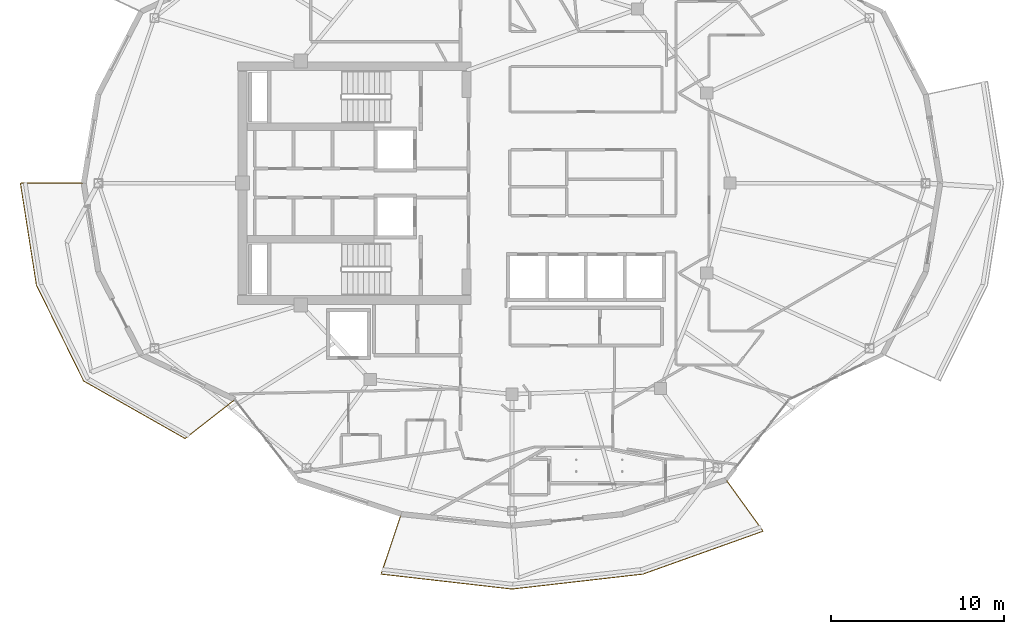
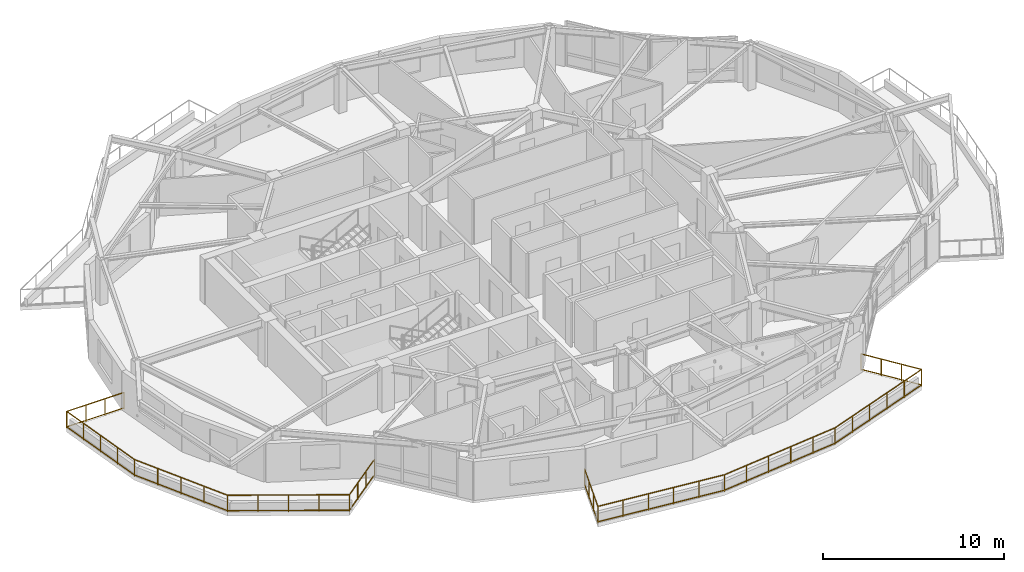
# One storey, part 18 of 21: 2 railings.
"""IFC4 building model written with IfcOpenShell, lengths in metres."""

from ifc_helpers import new_model, si_unit, direction, frame, origin, origin_2d, place, context, subcontext, project, spatial, rectangle, extrude, material, type_object, element, save


model = new_model("IFC4")

# Units and contexts
model_context = context("Model", 3, precision=1e-05, world=origin(), true_north=direction((0.0, 1.0)))
body_context = subcontext(model_context, "Body", "Model", "MODEL_VIEW")
ifc_project = project(units=[si_unit("LENGTHUNIT", "METRE"), si_unit("AREAUNIT", "SQUARE_METRE"), si_unit("VOLUMEUNIT", "CUBIC_METRE"), si_unit("PLANEANGLEUNIT", "RADIAN"), si_unit("MASSUNIT", "GRAM", prefix="KILO")], contexts=[model_context])

# Site, building, storey
site_placement = place(None, origin())
site = spatial("IfcSite", under=ifc_project, at=site_placement, CompositionType="ELEMENT")
building_placement = place(site_placement, origin())
building = spatial("IfcBuilding", under=site, at=building_placement, Name="Kolvaren Gate Tower and Convention Centre", CompositionType="ELEMENT")
storey_placement = place(building_placement, frame((0.0, 0.0, 226.10009765625)))
storey = spatial("IfcBuildingStorey", under=building, at=storey_placement, Name="L60", CompositionType="ELEMENT", Elevation=226.10009765625)

# Railings
ifc_material = material(Name="Brushed Stainless Steel Grade 316L", Category="steel")
railing_type = type_object("IfcRailingType", Name="ARCH-RL-GUARD-1150", PredefinedType="GUARDRAIL", material=ifc_material)
railing_1_placement = place(storey_placement, frame((5.375, 27.0, 0.0)))
element("IfcRailing", 1, at=railing_1_placement, inside=storey, type_object=railing_type, Name="Tower L60 Terrace Perimeter Guardrail GR-2", PredefinedType="GUARDRAIL", context=body_context, shape_type="SweptSolid", body=[
    extrude(rectangle(XDim=0.048095703125, YDim=0.048095703125, at=origin_2d()), frame((-0.028076171875, 0.0, 1.1259765625), z_axis=(-1.0, 0.0, 0.0), x_axis=(0.0, -1.0, 0.0)), (0.0, 0.0, 1.0), 3.603759765625),
    extrude(rectangle(XDim=0.048095703125, YDim=0.048095703125, at=origin_2d()), frame((-0.028076171875, 0.0, 0.083984375), z_axis=(-1.0, 0.0, 0.0), x_axis=(0.0, -1.0, 0.0)), (0.0, 0.0, 1.0), 3.603759765625),
    extrude(rectangle(XDim=0.048095703125, YDim=0.048095703125, at=origin_2d()), frame((-3.655517578125, -0.027587890625, 1.1259765625), z_axis=(0.155031225865, -0.987909570258, 0.0), x_axis=(0.987909570258, 0.155031225865, 0.0)), (0.0, 0.0, 1.0), 5.90771484375),
    extrude(rectangle(XDim=0.048095703125, YDim=0.048095703125, at=origin_2d()), frame((-3.655517578125, -0.027587890625, 0.083984375), z_axis=(0.155031225865, -0.987909570258, 0.0), x_axis=(0.987909570258, 0.155031225865, 0.0)), (0.0, 0.0, 1.0), 5.90771484375),
    extrude(rectangle(XDim=0.048095703125, YDim=0.048095703125, at=origin_2d()), frame((-2.722900390625, -5.916748046875, 1.1259765625), z_axis=(0.441625304244, -0.897199582396, 0.0), x_axis=(0.897199582396, 0.441625304244, 0.0)), (0.0, 0.0, 1.0), 6.122314453125),
    extrude(rectangle(XDim=0.048095703125, YDim=0.048095703125, at=origin_2d()), frame((-2.722900390625, -5.916748046875, 0.083984375), z_axis=(0.441625304244, -0.897199582396, 0.0), x_axis=(0.897199582396, 0.441625304244, 0.0)), (0.0, 0.0, 1.0), 6.122314453125),
    extrude(rectangle(XDim=0.048095703125, YDim=0.048095703125, at=origin_2d()), frame((0.017578125, -11.44873046875, 1.1259765625), z_axis=(0.869876155964, -0.493270182846, 0.0), x_axis=(0.493270182846, 0.869876155964, 0.0)), (0.0, 0.0, 1.0), 6.6865234375),
    extrude(rectangle(XDim=0.048095703125, YDim=0.048095703125, at=origin_2d()), frame((0.017578125, -11.44873046875, 0.083984375), z_axis=(0.869876155964, -0.493270182846, 0.0), x_axis=(0.493270182846, 0.869876155964, 0.0)), (0.0, 0.0, 1.0), 6.6865234375),
    extrude(rectangle(XDim=0.048095703125, YDim=0.048095703125, at=origin_2d()), frame((5.880615234375, -14.743408203125, 1.1259765625), z_axis=(0.787988976981, 0.61568934712, 0.0), x_axis=(-0.61568934712, 0.787988976981, 0.0)), (0.0, 0.0, 1.0), 3.60400390625),
    extrude(rectangle(XDim=0.048095703125, YDim=0.048095703125, at=origin_2d()), frame((5.880615234375, -14.743408203125, 0.083984375), z_axis=(0.787988976981, 0.61568934712, 0.0), x_axis=(-0.61568934712, 0.787988976981, 0.0)), (0.0, 0.0, 1.0), 3.60400390625),
    extrude(rectangle(XDim=0.0419921875, YDim=0.0419921875, at=origin_2d()), origin(), (0.0, 0.0, 1.0), 1.14990234375),
    extrude(rectangle(XDim=0.0419921875, YDim=0.0419921875, at=origin_2d()), frame((-3.659912109375, 0.0, 0.0)), (0.0, 0.0, 1.0), 1.14990234375),
    extrude(rectangle(XDim=0.0419921875, YDim=0.0419921875, at=origin_2d()), frame((-1.219970703125, 0.0, 0.0)), (0.0, 0.0, 1.0), 1.099853515625),
    extrude(rectangle(XDim=0.0419921875, YDim=0.0419921875, at=origin_2d()), frame((-2.43994140625, 0.0, 0.0)), (0.0, 0.0, 1.0), 1.099853515625),
    extrude(rectangle(XDim=0.0419921875, YDim=0.0419921875, at=origin_2d()), frame((-2.7353515625, -5.8916015625, 0.0)), (0.0, 0.0, 1.0), 1.14990234375),
    extrude(rectangle(XDim=0.0419921875, YDim=0.0419921875, at=origin_2d()), frame((-3.4287109375, -1.472900390625, 0.0)), (0.0, 0.0, 1.0), 1.099853515625),
    extrude(rectangle(XDim=0.0419921875, YDim=0.0419921875, at=origin_2d()), frame((-3.19775390625, -2.94580078125, 0.0)), (0.0, 0.0, 1.0), 1.099853515625),
    extrude(rectangle(XDim=0.0419921875, YDim=0.0419921875, at=origin_2d()), frame((-2.966552734375, -4.418701171875, 0.0)), (0.0, 0.0, 1.0), 1.099853515625),
    extrude(rectangle(XDim=0.0419921875, YDim=0.0419921875, at=origin_2d()), frame((-0.0068359375, -11.434814453125, 0.0)), (0.0, 0.0, 1.0), 1.14990234375),
    extrude(rectangle(XDim=0.0419921875, YDim=0.0419921875, at=origin_2d()), frame((-2.05322265625, -7.27734375, 0.0)), (0.0, 0.0, 1.0), 1.099853515625),
    extrude(rectangle(XDim=0.0419921875, YDim=0.0419921875, at=origin_2d()), frame((-1.37109375, -8.6630859375, 0.0)), (0.0, 0.0, 1.0), 1.099853515625),
    extrude(rectangle(XDim=0.0419921875, YDim=0.0419921875, at=origin_2d()), frame((-0.68896484375, -10.049072265625, 0.0)), (0.0, 0.0, 1.0), 1.099853515625),
    extrude(rectangle(XDim=0.0419921875, YDim=0.0419921875, at=origin_2d()), frame((5.8583984375, -14.7607421875, 0.0)), (0.0, 0.0, 1.0), 1.14990234375),
    extrude(rectangle(XDim=0.0419921875, YDim=0.0419921875, at=origin_2d()), frame((1.45947265625, -12.266357421875, 0.0)), (0.0, 0.0, 1.0), 1.099853515625),
    extrude(rectangle(XDim=0.0419921875, YDim=0.0419921875, at=origin_2d()), frame((2.92578125, -13.09765625, 0.0)), (0.0, 0.0, 1.0), 1.099853515625),
    extrude(rectangle(XDim=0.0419921875, YDim=0.0419921875, at=origin_2d()), frame((4.39208984375, -13.92919921875, 0.0)), (0.0, 0.0, 1.0), 1.099853515625),
    extrude(rectangle(XDim=0.0419921875, YDim=0.0419921875, at=origin_2d()), frame((8.742431640625, -12.50732421875, 0.0)), (0.0, 0.0, 1.0), 1.14990234375),
    extrude(rectangle(XDim=0.0419921875, YDim=0.0419921875, at=origin_2d()), frame((6.81982421875, -14.009521484375, 0.0)), (0.0, 0.0, 1.0), 1.099853515625),
    extrude(rectangle(XDim=0.0419921875, YDim=0.0419921875, at=origin_2d()), frame((7.781005859375, -13.258544921875, 0.0)), (0.0, 0.0, 1.0), 1.099853515625),
])
railing_2_placement = place(storey_placement, frame((23.71923828125, 7.874755859375, 0.0)))
element("IfcRailing", 2, at=railing_2_placement, inside=storey, type_object=railing_type, Name="Tower L60 Terrace Perimeter Guardrail GR-3", PredefinedType="GUARDRAIL", context=body_context, shape_type="SweptSolid", body=[
    extrude(rectangle(XDim=0.048095703125, YDim=0.048095703125, at=origin_2d()), frame((-0.0087890625, -0.026611328125, 1.1259765625), z_axis=(-0.317588247294, -0.948228719867, 0.0), x_axis=(0.948228719867, -0.317588247294, 0.0)), (0.0, 0.0, 1.0), 3.603759765625),
    extrude(rectangle(XDim=0.048095703125, YDim=0.048095703125, at=origin_2d()), frame((-0.0087890625, -0.026611328125, 0.083984375), z_axis=(-0.317588247294, -0.948228719867, 0.0), x_axis=(0.948228719867, -0.317588247294, 0.0)), (0.0, 0.0, 1.0), 3.603759765625),
    extrude(rectangle(XDim=0.048095703125, YDim=0.048095703125, at=origin_2d()), frame((-1.134521484375, -3.4736328125, 1.1259765625), z_axis=(0.993542586276, -0.113459813395, 0.0), x_axis=(0.113459813395, 0.993542586276, 0.0)), (0.0, 0.0, 1.0), 7.561279296875),
    extrude(rectangle(XDim=0.048095703125, YDim=0.048095703125, at=origin_2d()), frame((-1.134521484375, -3.4736328125, 0.083984375), z_axis=(0.993542586276, -0.113459813395, 0.0), x_axis=(0.113459813395, 0.993542586276, 0.0)), (0.0, 0.0, 1.0), 7.561279296875),
    extrude(rectangle(XDim=0.048095703125, YDim=0.048095703125, at=origin_2d()), frame((6.43359375, -4.33154296875, 1.1259765625), z_axis=(0.993542586276, 0.113459813395, 0.0), x_axis=(-0.113459813395, 0.993542586276, 0.0)), (0.0, 0.0, 1.0), 7.561279296875),
    extrude(rectangle(XDim=0.048095703125, YDim=0.048095703125, at=origin_2d()), frame((6.43359375, -4.33154296875, 0.083984375), z_axis=(0.993542586276, 0.113459813395, 0.0), x_axis=(-0.113459813395, 0.993542586276, 0.0)), (0.0, 0.0, 1.0), 7.561279296875),
    extrude(rectangle(XDim=0.048095703125, YDim=0.048095703125, at=origin_2d()), frame((14.000244140625, -3.4609375, 1.1259765625), z_axis=(0.941783827204, 0.336219010197, 0.0), x_axis=(-0.336219010197, 0.941783827204, 0.0)), (0.0, 0.0, 1.0), 7.322265625),
    extrude(rectangle(XDim=0.048095703125, YDim=0.048095703125, at=origin_2d()), frame((14.000244140625, -3.4609375, 0.083984375), z_axis=(0.941783827204, 0.336219010197, 0.0), x_axis=(-0.336219010197, 0.941783827204, 0.0)), (0.0, 0.0, 1.0), 7.322265625),
    extrude(rectangle(XDim=0.048095703125, YDim=0.048095703125, at=origin_2d()), frame((20.90625, -0.967041015625, 1.1259765625), z_axis=(-0.585212870465, 0.810879705161, 0.0), x_axis=(-0.810879705161, -0.585212870465, 0.0)), (0.0, 0.0, 1.0), 3.603759765625),
    extrude(rectangle(XDim=0.048095703125, YDim=0.048095703125, at=origin_2d()), frame((20.90625, -0.967041015625, 0.083984375), z_axis=(-0.585212870465, 0.810879705161, 0.0), x_axis=(-0.810879705161, -0.585212870465, 0.0)), (0.0, 0.0, 1.0), 3.603759765625),
    extrude(rectangle(XDim=0.0419921875, YDim=0.0419921875, at=origin_2d()), origin(), (0.0, 0.0, 1.0), 1.14990234375),
    extrude(rectangle(XDim=0.0419921875, YDim=0.0419921875, at=origin_2d()), frame((-1.162353515625, -3.470458984375, 0.0)), (0.0, 0.0, 1.0), 1.14990234375),
    extrude(rectangle(XDim=0.0419921875, YDim=0.0419921875, at=origin_2d()), frame((-0.387451171875, -1.15673828125, 0.0)), (0.0, 0.0, 1.0), 1.099853515625),
    extrude(rectangle(XDim=0.0419921875, YDim=0.0419921875, at=origin_2d()), frame((-0.77490234375, -2.313720703125, 0.0)), (0.0, 0.0, 1.0), 1.099853515625),
    extrude(rectangle(XDim=0.0419921875, YDim=0.0419921875, at=origin_2d()), frame((6.40576171875, -4.334716796875, 0.0)), (0.0, 0.0, 1.0), 1.14990234375),
    extrude(rectangle(XDim=0.0419921875, YDim=0.0419921875, at=origin_2d()), frame((0.351318359375, -3.643310546875, 0.0)), (0.0, 0.0, 1.0), 1.099853515625),
    extrude(rectangle(XDim=0.0419921875, YDim=0.0419921875, at=origin_2d()), frame((1.864990234375, -3.816162109375, 0.0)), (0.0, 0.0, 1.0), 1.099853515625),
    extrude(rectangle(XDim=0.0419921875, YDim=0.0419921875, at=origin_2d()), frame((3.37841796875, -3.989013671875, 0.0)), (0.0, 0.0, 1.0), 1.099853515625),
    extrude(rectangle(XDim=0.0419921875, YDim=0.0419921875, at=origin_2d()), frame((4.89208984375, -4.161865234375, 0.0)), (0.0, 0.0, 1.0), 1.099853515625),
    extrude(rectangle(XDim=0.0419921875, YDim=0.0419921875, at=origin_2d()), frame((13.973876953125, -3.470458984375, 0.0)), (0.0, 0.0, 1.0), 1.14990234375),
    extrude(rectangle(XDim=0.0419921875, YDim=0.0419921875, at=origin_2d()), frame((7.91943359375, -4.161865234375, 0.0)), (0.0, 0.0, 1.0), 1.099853515625),
    extrude(rectangle(XDim=0.0419921875, YDim=0.0419921875, at=origin_2d()), frame((9.43310546875, -3.989013671875, 0.0)), (0.0, 0.0, 1.0), 1.099853515625),
    extrude(rectangle(XDim=0.0419921875, YDim=0.0419921875, at=origin_2d()), frame((10.946533203125, -3.816162109375, 0.0)), (0.0, 0.0, 1.0), 1.099853515625),
    extrude(rectangle(XDim=0.0419921875, YDim=0.0419921875, at=origin_2d()), frame((12.460205078125, -3.643310546875, 0.0)), (0.0, 0.0, 1.0), 1.099853515625),
    extrude(rectangle(XDim=0.0419921875, YDim=0.0419921875, at=origin_2d()), frame((20.922607421875, -0.98974609375, 0.0)), (0.0, 0.0, 1.0), 1.14990234375),
    extrude(rectangle(XDim=0.0419921875, YDim=0.0419921875, at=origin_2d()), frame((15.363525390625, -2.974365234375, 0.0)), (0.0, 0.0, 1.0), 1.099853515625),
    extrude(rectangle(XDim=0.0419921875, YDim=0.0419921875, at=origin_2d()), frame((16.75341796875, -2.478271484375, 0.0)), (0.0, 0.0, 1.0), 1.099853515625),
    extrude(rectangle(XDim=0.0419921875, YDim=0.0419921875, at=origin_2d()), frame((18.14306640625, -1.98193359375, 0.0)), (0.0, 0.0, 1.0), 1.099853515625),
    extrude(rectangle(XDim=0.0419921875, YDim=0.0419921875, at=origin_2d()), frame((19.532958984375, -1.48583984375, 0.0)), (0.0, 0.0, 1.0), 1.099853515625),
    extrude(rectangle(XDim=0.0419921875, YDim=0.0419921875, at=origin_2d()), frame((18.78076171875, 1.97802734375, 0.0)), (0.0, 0.0, 1.0), 1.14990234375),
    extrude(rectangle(XDim=0.0419921875, YDim=0.0419921875, at=origin_2d()), frame((20.208740234375, -0.00048828125, 0.0)), (0.0, 0.0, 1.0), 1.099853515625),
    extrude(rectangle(XDim=0.0419921875, YDim=0.0419921875, at=origin_2d()), frame((19.49462890625, 0.98876953125, 0.0)), (0.0, 0.0, 1.0), 1.099853515625),
])

save(model, "model.ifc")
